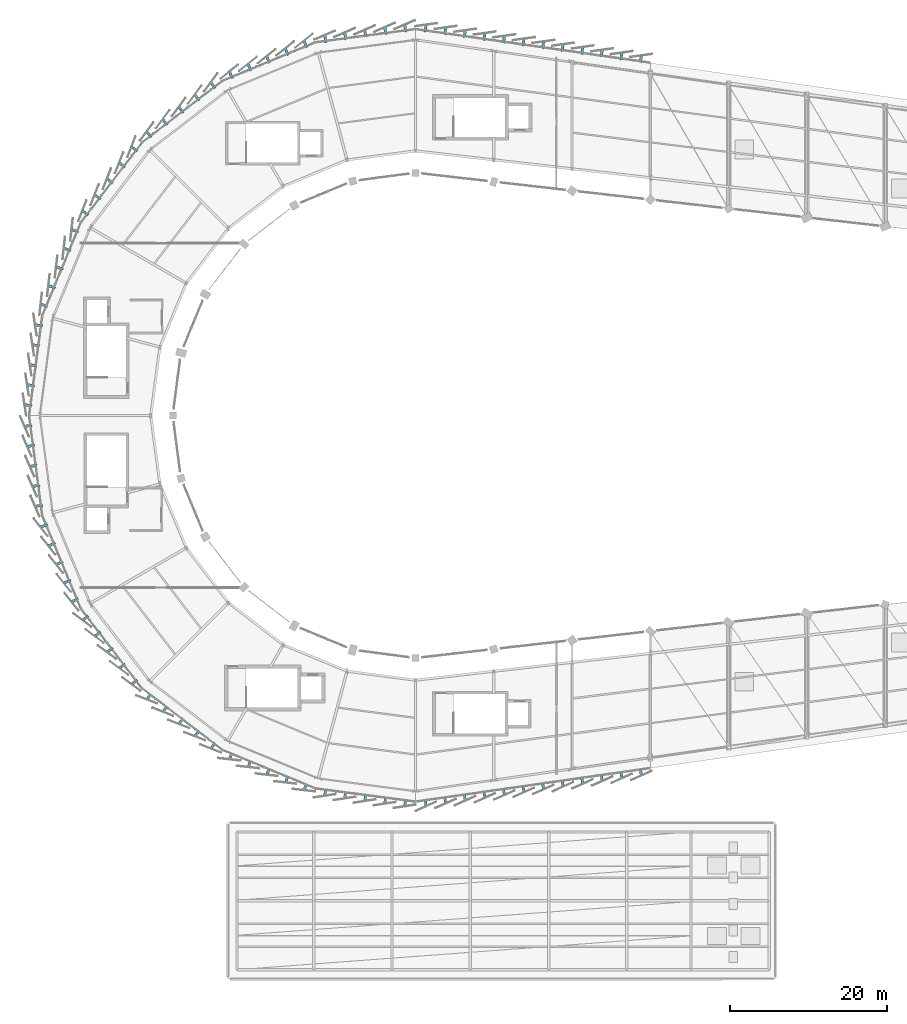
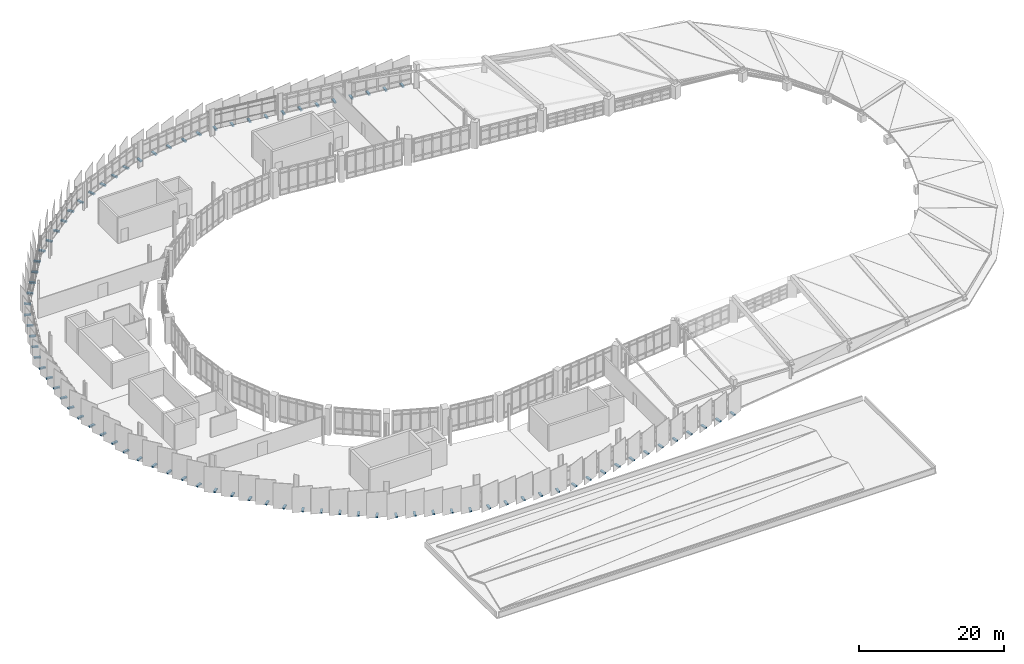
# One storey, part 64 of 67: 84 discrete accessories.
"""IFC4 building model written with IfcOpenShell, lengths in metres."""

import ifcopenshell
import ifcopenshell.guid

model = None  # the IFC model being written
_history = None  # IfcOwnerHistory: only IFC2X3 demands one
_inside = {}  # id of a spatial element -> (the spatial element, [elements in it])
_under = {}  # id of a project, library or spatial element -> (it, [spatial elements below it])
_declared = {}  # id of a project -> (the project, [libraries it declares])
_typed = {}  # id of a type object -> (the type object, [elements of that type])
_made_of = {}  # id of a material, layer set ... -> (it, [elements and type objects made of it])


def new_model(schema):
    """Start an empty IFC model of exactly this schema.

    Asked for "IFC4X3", IfcOpenShell would pick the latest addendum, in which some entities
    have other attributes; the version numbers below select the first issue.
    IFC2X3 requires an IfcOwnerHistory on every rooted entity: one is made here for all.
    """
    global model, _history
    if schema == "IFC4X3":
        model = ifcopenshell.file(schema_version=(4, 3, 0, 0))
    else:
        model = ifcopenshell.file(schema=schema)
    _inside.clear()
    _under.clear()
    _declared.clear()
    _typed.clear()
    _made_of.clear()
    _history = None
    if model.schema == "IFC2X3":
        org = make("IfcOrganization", Name="unknown")
        user = make(
            "IfcPersonAndOrganization",
            ThePerson=make("IfcPerson", FamilyName="unknown"),
            TheOrganization=org,
        )
        app = make(
            "IfcApplication",
            ApplicationDeveloper=org,
            Version="unknown",
            ApplicationFullName="unknown",
            ApplicationIdentifier="unknown",
        )
        _history = make(
            "IfcOwnerHistory",
            OwningUser=user,
            OwningApplication=app,
            ChangeAction="ADDED",
            CreationDate=0,
        )
    return model


def make(cls, **values):
    """One entity of the class cls with the attributes given. An attribute that is None is left unset."""
    return model.create_entity(
        cls, **{name: value for name, value in values.items() if value is not None}
    )


def rooted(cls, **values):
    """An entity with a GlobalId (a new one), such as an element, a storey or a relation."""
    return make(cls, GlobalId=ifcopenshell.guid.new(), OwnerHistory=_history, **values)


def si_unit(unit_type, name, prefix=None):
    """IfcSIUnit, for example si_unit("LENGTHUNIT", "METRE", prefix="MILLI")."""
    return make("IfcSIUnit", UnitType=unit_type, Prefix=prefix, Name=name)


def assignment(units):
    """IfcUnitAssignment: the units of a project."""
    return None if units is None else make("IfcUnitAssignment", Units=units)


def point(xyz):
    """IfcCartesianPoint."""
    return None if xyz is None else make("IfcCartesianPoint", Coordinates=xyz)


def direction(xyz):
    """IfcDirection."""
    return None if xyz is None else make("IfcDirection", DirectionRatios=xyz)


def frame(location, z_axis=None, x_axis=None):
    """IfcAxis2Placement3D, a coordinate frame: its origin and axes. An axis left out is left unset."""
    return make(
        "IfcAxis2Placement3D",
        Location=point(location),
        Axis=direction(z_axis),
        RefDirection=direction(x_axis),
    )


def frame_2d(location, x_axis=None):
    """IfcAxis2Placement2D, a coordinate frame in the plane: its origin and x axis."""
    return make(
        "IfcAxis2Placement2D", Location=point(location), RefDirection=direction(x_axis)
    )


def origin():
    """The frame at (0, 0, 0) with its axes left unset."""
    return frame((0.0, 0.0, 0.0))


def origin_2d():
    """The frame at (0, 0) in the plane with its x axis left unset."""
    return frame_2d((0.0, 0.0))


def place(relative_to, where):
    """IfcLocalPlacement: puts the frame where relative to a parent placement (None: the world)."""
    return make(
        "IfcLocalPlacement", PlacementRelTo=relative_to, RelativePlacement=where
    )


def context(
    kind, dimensions, precision=None, world=None, true_north=None, identifier=None
):
    """IfcGeometricRepresentationContext, for example the 3D "Model" context."""
    return make(
        "IfcGeometricRepresentationContext",
        ContextIdentifier=identifier,
        ContextType=kind,
        CoordinateSpaceDimension=dimensions,
        Precision=precision,
        WorldCoordinateSystem=world,
        TrueNorth=true_north,
    )


def subcontext(parent, identifier, kind, view, scale=None):
    """IfcGeometricRepresentationSubContext, for example "Body" below "Model"."""
    return make(
        "IfcGeometricRepresentationSubContext",
        ContextIdentifier=identifier,
        ContextType=kind,
        ParentContext=parent,
        TargetScale=scale,
        TargetView=view,
    )


def project(units=None, contexts=None):
    """IfcProject with its units and contexts."""
    return rooted(
        "IfcProject",
        Name="project",
        RepresentationContexts=contexts,
        UnitsInContext=assignment(units),
    )


def spatial(cls, under=None, at=None, **own):
    """A site, building, storey or space (cls), placed at a placement, below another one or the project."""
    s = rooted(cls, ObjectPlacement=at, **own)
    if under is not None:
        _under.setdefault(under.id(), (under, []))[1].append(s)
    return s


def profile(cls, at=None, kind="AREA", **sizes):
    """A parametric profile (cls). Its sizes go by their IFC names, for example OverallWidth=200.0."""
    return make(cls, ProfileType=kind, Position=at, **sizes)


def rectangle(**sizes):
    """IfcRectangleProfileDef."""
    return profile("IfcRectangleProfileDef", **sizes)


def extrude(swept, where, along, depth):
    """IfcExtrudedAreaSolid: the profile swept, set in the frame where, extruded along a direction by depth."""
    return make(
        "IfcExtrudedAreaSolid",
        SweptArea=swept,
        Position=where,
        ExtrudedDirection=direction(along),
        Depth=depth,
    )


def shape(context_of_items, identifier, shape_type, items):
    """IfcShapeRepresentation: the items that make up one representation, for example the "Body"."""
    return make(
        "IfcShapeRepresentation",
        ContextOfItems=context_of_items,
        RepresentationIdentifier=identifier,
        RepresentationType=shape_type,
        Items=items,
    )


def material(Name=None, Category=None):
    """IfcMaterial."""
    return make("IfcMaterial", Name=Name, Category=Category)


def made_of(thing, what):
    """Note that an element or type object is made of a material, layer set ...; save() writes the relation."""
    if what is not None:
        _made_of.setdefault(what.id(), (what, []))[1].append(thing)
    return thing


def type_object(cls, material=None, **own):
    """A type object (cls), such as IfcWallType, which elements share."""
    return made_of(rooted(cls, **own), material)


def element(
    cls,
    number,
    at=None,
    inside=None,
    cuts=None,
    type_object=None,
    material=None,
    context=None,
    identifier="Body",
    shape_type=None,
    held_by="IfcProductDefinitionShape",
    body=None,
    shapes=None,
    **own,
):
    """One element of the class cls, such as IfcWall. Its Tag is "e" and its number.

    at: its placement. inside: the storey or other place that contains it. cuts: it is an
    opening in that element (IfcRelVoidsElement). A single representation is given by context,
    identifier, shape_type and body (its items); several are given by shapes. held_by: the class
    of the entity that holds the representations. save() writes the other relations.
    """
    e = rooted(cls, Tag="e%d" % number, ObjectPlacement=at, **own)
    if body is not None:
        shapes = [shape(context, identifier, shape_type, body)]
    if shapes is not None:
        e.Representation = make(held_by, Representations=shapes)
    if inside is not None:
        _inside.setdefault(inside.id(), (inside, []))[1].append(e)
    if cuts is not None:
        rooted(
            "IfcRelVoidsElement", RelatingBuildingElement=cuts, RelatedOpeningElement=e
        )
    if type_object is not None:
        _typed.setdefault(type_object.id(), (type_object, []))[1].append(e)
    return made_of(e, material)


def aggregate(whole, parts):
    """IfcRelAggregates: a whole, such as a stair, and the parts it consists of."""
    return rooted("IfcRelAggregates", RelatingObject=whole, RelatedObjects=parts)


def save(model, path):
    """Write the relations noted so far, then the file.

    IfcRelAggregates (storeys below a building ...), IfcRelContainedInSpatialStructure (elements
    in a storey), IfcRelDefinesByType, IfcRelAssociatesMaterial and IfcRelDeclares: one each for
    every whole, place, type object, material and project.
    """
    for whole, parts in _under.values():
        aggregate(whole, parts)
    for where, things in _inside.values():
        rooted(
            "IfcRelContainedInSpatialStructure",
            RelatedElements=things,
            RelatingStructure=where,
        )
    for kind, things in _typed.values():
        rooted("IfcRelDefinesByType", RelatedObjects=things, RelatingType=kind)
    for what, things in _made_of.values():
        rooted("IfcRelAssociatesMaterial", RelatedObjects=things, RelatingMaterial=what)
    for by, libraries in _declared.values():
        rooted("IfcRelDeclares", RelatingContext=by, RelatedDefinitions=libraries)
    model.write(path)


model = new_model("IFC4")

# Units and contexts
model_context = context("Model", 3, precision=1e-05, world=origin(), true_north=direction((0.0, 1.0)))
body_context = subcontext(model_context, "Body", "Model", "MODEL_VIEW")
ifc_project = project(units=[si_unit("LENGTHUNIT", "METRE"), si_unit("AREAUNIT", "SQUARE_METRE"), si_unit("VOLUMEUNIT", "CUBIC_METRE"), si_unit("PLANEANGLEUNIT", "RADIAN"), si_unit("MASSUNIT", "GRAM", prefix="KILO")], contexts=[model_context])

# Site, building, storey
site_placement = place(None, origin())
site = spatial("IfcSite", under=ifc_project, at=site_placement, CompositionType="ELEMENT")
building_placement = place(site_placement, origin())
building = spatial("IfcBuilding", under=site, at=building_placement, Name="Sohan Crest Arena", CompositionType="ELEMENT")
storey_placement = place(building_placement, frame((0.0, 0.0, 22.5)))
storey = spatial("IfcBuildingStorey", under=building, at=storey_placement, Name="L05", CompositionType="ELEMENT", Elevation=22.5)

# Discrete accessories
ifc_material = material(Name="Steel S355", Category="steel")
discrete_accessory_type = type_object("IfcDiscreteAccessoryType", Name="ARC-ACC-BRK1", PredefinedType="BRACKET", material=ifc_material)
for number, where, z_axis, x_axis, name in (
    (1, (96.680908203125, 127.4990234375, -0.22998046875), (0.0, 0.0, 1.0), (-0.991444861374, -0.13052619222, 0.0), "Ceramic scale carrier bracket BRK-0555"),
    (2, (94.1259765625, 127.1630859375, -0.22998046875), (0.0, 0.0, 1.0), (-0.991444861374, -0.13052619222, 0.0), "Ceramic scale carrier bracket BRK-0556"),
    (3, (91.572021484375, 126.825927734375, -0.22998046875), (0.0, 0.0, 1.0), (-0.991444861374, -0.13052619222, 0.0), "Ceramic scale carrier bracket BRK-0557"),
    (4, (89.01708984375, 126.489990234375, -0.22998046875), (0.0, 0.0, 1.0), (-0.991444861374, -0.13052619222, 0.0), "Ceramic scale carrier bracket BRK-0558"),
    (5, (86.462890625, 126.153076171875, -0.22998046875), (0.0, 0.0, 1.0), (-0.991444861374, -0.13052619222, 0.0), "Ceramic scale carrier bracket BRK-0559"),
    (6, (83.9140625, 125.470947265625, -0.22998046875), (0.0, 0.0, 1.0), (-0.923879532511, -0.382683432365, 0.0), "Ceramic scale carrier bracket BRK-0560"),
    (7, (81.533935546875, 124.485107421875, -0.22998046875), (0.0, 0.0, 1.0), (-0.923879532511, -0.382683432365, 0.0), "Ceramic scale carrier bracket BRK-0561"),
    (8, (79.154052734375, 123.4990234375, -0.22998046875), (0.0, 0.0, 1.0), (-0.923879532511, -0.382683432365, 0.0), "Ceramic scale carrier bracket BRK-0562"),
    (9, (76.77294921875, 122.512939453125, -0.22998046875), (0.0, 0.0, 1.0), (-0.923879532511, -0.382683432365, 0.0), "Ceramic scale carrier bracket BRK-0563"),
    (10, (74.39306640625, 121.527099609375, -0.22998046875), (0.0, 0.0, 1.0), (-0.923879532511, -0.382683432365, 0.0), "Ceramic scale carrier bracket BRK-0564"),
    (11, (72.10791015625, 120.2080078125, -0.22998046875), (0.0, 0.0, 1.0), (-0.793353340291, -0.608761429009, 0.0), "Ceramic scale carrier bracket BRK-0565"),
    (12, (70.06396484375, 118.638916015625, -0.22998046875), (0.0, 0.0, 1.0), (-0.793353340291, -0.608761429009, 0.0), "Ceramic scale carrier bracket BRK-0566"),
    (13, (68.02001953125, 117.071044921875, -0.22998046875), (0.0, 0.0, 1.0), (-0.793353340291, -0.608761429009, 0.0), "Ceramic scale carrier bracket BRK-0567"),
    (14, (65.97607421875, 115.501953125, -0.22998046875), (0.0, 0.0, 1.0), (-0.793353340291, -0.608761429009, 0.0), "Ceramic scale carrier bracket BRK-0568"),
    (15, (63.930908203125, 113.93408203125, -0.22998046875), (0.0, 0.0, 1.0), (-0.793353340291, -0.608761429009, 0.0), "Ceramic scale carrier bracket BRK-0569"),
    (16, (62.06591796875, 112.069091796875, -0.22998046875), (0.0, 0.0, 1.0), (-0.608761429009, -0.793353340291, 0.0), "Ceramic scale carrier bracket BRK-0570"),
    (17, (60.498046875, 110.02392578125, -0.22998046875), (0.0, 0.0, 1.0), (-0.608761429009, -0.793353340291, 0.0), "Ceramic scale carrier bracket BRK-0571"),
    (18, (58.928955078125, 107.97998046875, -0.22998046875), (0.0, 0.0, 1.0), (-0.608761429009, -0.793353340291, 0.0), "Ceramic scale carrier bracket BRK-0572"),
    (19, (57.361083984375, 105.93603515625, -0.22998046875), (0.0, 0.0, 1.0), (-0.608761429009, -0.793353340291, 0.0), "Ceramic scale carrier bracket BRK-0573"),
    (20, (55.7919921875, 103.89208984375, -0.22998046875), (0.0, 0.0, 1.0), (-0.608761429009, -0.793353340291, 0.0), "Ceramic scale carrier bracket BRK-0574"),
    (21, (54.472900390625, 101.60693359375, -0.22998046875), (0.0, 0.0, 1.0), (-0.382683432365, -0.923879532511, 0.0), "Ceramic scale carrier bracket BRK-0575"),
    (22, (53.487060546875, 99.22705078125, -0.22998046875), (0.0, 0.0, 1.0), (-0.382683432365, -0.923879532511, 0.0), "Ceramic scale carrier bracket BRK-0576"),
    (23, (52.5009765625, 96.845947265625, -0.22998046875), (0.0, 0.0, 1.0), (-0.382683432365, -0.923879532511, 0.0), "Ceramic scale carrier bracket BRK-0577"),
    (24, (51.514892578125, 94.466064453125, -0.22998046875), (0.0, 0.0, 1.0), (-0.382683432365, -0.923879532511, 0.0), "Ceramic scale carrier bracket BRK-0578"),
    (25, (50.529052734375, 92.0859375, -0.22998046875), (0.0, 0.0, 1.0), (-0.382683432365, -0.923879532511, 0.0), "Ceramic scale carrier bracket BRK-0579"),
    (26, (49.846923828125, 89.537109375, -0.22998046875), (0.0, 0.0, 1.0), (-0.13052619222, -0.991444861374, 0.0), "Ceramic scale carrier bracket BRK-0580"),
    (27, (49.510009765625, 86.98291015625, -0.22998046875), (0.0, 0.0, 1.0), (-0.13052619222, -0.991444861374, 0.0), "Ceramic scale carrier bracket BRK-0581"),
    (28, (49.174072265625, 84.427978515625, -0.22998046875), (0.0, 0.0, 1.0), (-0.13052619222, -0.991444861374, 0.0), "Ceramic scale carrier bracket BRK-0582"),
    (29, (48.8369140625, 81.8740234375, -0.22998046875), (0.0, 0.0, 1.0), (-0.13052619222, -0.991444861374, 0.0), "Ceramic scale carrier bracket BRK-0583"),
    (30, (48.5009765625, 79.319091796875, -0.22998046875), (0.0, 0.0, 1.0), (-0.13052619222, -0.991444861374, 0.0), "Ceramic scale carrier bracket BRK-0584"),
    (31, (48.5009765625, 76.680908203125, -0.22998046875), (0.0, 0.0, 1.0), (0.13052619222, -0.991444861374, 0.0), "Ceramic scale carrier bracket BRK-0585"),
    (32, (48.8369140625, 74.1259765625, -0.22998046875), (0.0, 0.0, 1.0), (0.13052619222, -0.991444861374, 0.0), "Ceramic scale carrier bracket BRK-0586"),
    (33, (49.174072265625, 71.572021484375, -0.22998046875), (0.0, 0.0, 1.0), (0.13052619222, -0.991444861374, 0.0), "Ceramic scale carrier bracket BRK-0587"),
    (34, (49.510009765625, 69.01708984375, -0.22998046875), (0.0, 0.0, 1.0), (0.13052619222, -0.991444861374, 0.0), "Ceramic scale carrier bracket BRK-0588"),
    (35, (49.846923828125, 66.462890625, -0.22998046875), (0.0, 0.0, 1.0), (0.13052619222, -0.991444861374, 0.0), "Ceramic scale carrier bracket BRK-0589"),
    (36, (50.529052734375, 63.9140625, -0.22998046875), (0.0, 0.0, 1.0), (0.382683432365, -0.923879532511, 0.0), "Ceramic scale carrier bracket BRK-0590"),
    (37, (51.514892578125, 61.533935546875, -0.22998046875), (0.0, 0.0, 1.0), (0.382683432365, -0.923879532511, 0.0), "Ceramic scale carrier bracket BRK-0591"),
    (38, (52.5009765625, 59.154052734375, -0.22998046875), (0.0, 0.0, 1.0), (0.382683432365, -0.923879532511, 0.0), "Ceramic scale carrier bracket BRK-0592"),
    (39, (53.487060546875, 56.77294921875, -0.22998046875), (0.0, 0.0, 1.0), (0.382683432365, -0.923879532511, 0.0), "Ceramic scale carrier bracket BRK-0593"),
    (40, (54.472900390625, 54.39306640625, -0.22998046875), (0.0, 0.0, 1.0), (0.382683432365, -0.923879532511, 0.0), "Ceramic scale carrier bracket BRK-0594"),
    (41, (55.7919921875, 52.10791015625, -0.22998046875), (0.0, 0.0, 1.0), (0.608761429009, -0.793353340291, 0.0), "Ceramic scale carrier bracket BRK-0595"),
    (42, (57.361083984375, 50.06396484375, -0.22998046875), (0.0, 0.0, 1.0), (0.608761429009, -0.793353340291, 0.0), "Ceramic scale carrier bracket BRK-0596"),
    (43, (58.928955078125, 48.02001953125, -0.22998046875), (0.0, 0.0, 1.0), (0.608761429009, -0.793353340291, 0.0), "Ceramic scale carrier bracket BRK-0597"),
    (44, (60.498046875, 45.97607421875, -0.22998046875), (0.0, 0.0, 1.0), (0.608761429009, -0.793353340291, 0.0), "Ceramic scale carrier bracket BRK-0598"),
    (45, (62.06591796875, 43.930908203125, -0.22998046875), (0.0, 0.0, 1.0), (0.608761429009, -0.793353340291, 0.0), "Ceramic scale carrier bracket BRK-0599"),
    (46, (63.930908203125, 42.06591796875, -0.22998046875), (0.0, 0.0, 1.0), (0.793353340291, -0.608761429009, 0.0), "Ceramic scale carrier bracket BRK-0600"),
    (47, (65.97607421875, 40.498046875, -0.22998046875), (0.0, 0.0, 1.0), (0.793353340291, -0.608761429009, 0.0), "Ceramic scale carrier bracket BRK-0601"),
    (48, (68.02001953125, 38.928955078125, -0.22998046875), (0.0, 0.0, 1.0), (0.793353340291, -0.608761429009, 0.0), "Ceramic scale carrier bracket BRK-0602"),
    (49, (70.06396484375, 37.361083984375, -0.22998046875), (0.0, 0.0, 1.0), (0.793353340291, -0.608761429009, 0.0), "Ceramic scale carrier bracket BRK-0603"),
    (50, (72.10791015625, 35.7919921875, -0.22998046875), (0.0, 0.0, 1.0), (0.793353340291, -0.608761429009, 0.0), "Ceramic scale carrier bracket BRK-0604"),
    (51, (74.39306640625, 34.472900390625, -0.22998046875), (0.0, 0.0, 1.0), (0.923879532511, -0.382683432365, 0.0), "Ceramic scale carrier bracket BRK-0605"),
    (52, (76.77294921875, 33.487060546875, -0.22998046875), (0.0, 0.0, 1.0), (0.923879532511, -0.382683432365, 0.0), "Ceramic scale carrier bracket BRK-0606"),
    (53, (79.154052734375, 32.5009765625, -0.22998046875), (0.0, 0.0, 1.0), (0.923879532511, -0.382683432365, 0.0), "Ceramic scale carrier bracket BRK-0607"),
    (54, (81.533935546875, 31.514892578125, -0.22998046875), (0.0, 0.0, 1.0), (0.923879532511, -0.382683432365, 0.0), "Ceramic scale carrier bracket BRK-0608"),
    (55, (83.9140625, 30.529052734375, -0.22998046875), (0.0, 0.0, 1.0), (0.923879532511, -0.382683432365, 0.0), "Ceramic scale carrier bracket BRK-0609"),
    (56, (86.462890625, 29.846923828125, -0.22998046875), (0.0, 0.0, 1.0), (0.991444861374, -0.13052619222, 0.0), "Ceramic scale carrier bracket BRK-0610"),
    (57, (89.01708984375, 29.510009765625, -0.22998046875), (0.0, 0.0, 1.0), (0.991444861374, -0.13052619222, 0.0), "Ceramic scale carrier bracket BRK-0611"),
    (58, (91.572021484375, 29.174072265625, -0.22998046875), (0.0, 0.0, 1.0), (0.991444861374, -0.13052619222, 0.0), "Ceramic scale carrier bracket BRK-0612"),
    (59, (94.1259765625, 28.8369140625, -0.22998046875), (0.0, 0.0, 1.0), (0.991444861374, -0.13052619222, 0.0), "Ceramic scale carrier bracket BRK-0613"),
    (60, (96.680908203125, 28.5009765625, -0.22998046875), (0.0, 0.0, 1.0), (0.991444861374, -0.13052619222, 0.0), "Ceramic scale carrier bracket BRK-0614"),
    (61, (99.294921875, 28.511962890625, -0.22998046875), (0.0, 0.0, 1.0), (0.990023657717, 0.140901231938, 0.0), "Ceramic scale carrier bracket BRK-0615"),
    (62, (101.794921875, 28.868896484375, -0.22998046875), (0.0, 0.0, 1.0), (0.990023657717, 0.140901231938, 0.0), "Ceramic scale carrier bracket BRK-0616"),
    (63, (104.294921875, 29.22607421875, -0.22998046875), (0.0, 0.0, 1.0), (0.990023657717, 0.140901231938, 0.0), "Ceramic scale carrier bracket BRK-0617"),
    (64, (106.794921875, 29.583984375, -0.22998046875), (0.0, 0.0, 1.0), (0.990023657717, 0.140901231938, 0.0), "Ceramic scale carrier bracket BRK-0618"),
    (65, (109.294921875, 29.94091796875, -0.22998046875), (0.0, 0.0, 1.0), (0.990023657717, 0.140901231938, 0.0), "Ceramic scale carrier bracket BRK-0619"),
    (66, (111.794921875, 30.298095703125, -0.22998046875), (0.0, 0.0, 1.0), (0.990023657717, 0.140901231938, 0.0), "Ceramic scale carrier bracket BRK-0620"),
    (67, (114.294921875, 30.655029296875, -0.22998046875), (0.0, 0.0, 1.0), (0.990023657717, 0.140901231938, 0.0), "Ceramic scale carrier bracket BRK-0621"),
    (68, (116.794921875, 31.011962890625, -0.22998046875), (0.0, 0.0, 1.0), (0.990023657717, 0.140901231938, 0.0), "Ceramic scale carrier bracket BRK-0622"),
    (69, (119.294921875, 31.368896484375, -0.22998046875), (0.0, 0.0, 1.0), (0.990023657717, 0.140901231938, 0.0), "Ceramic scale carrier bracket BRK-0623"),
    (70, (121.794921875, 31.72607421875, -0.22998046875), (0.0, 0.0, 1.0), (0.990023657717, 0.140901231938, 0.0), "Ceramic scale carrier bracket BRK-0624"),
    (71, (124.294921875, 32.0830078125, -0.22998046875), (0.0, 0.0, 1.0), (0.990023657717, 0.140901231938, 0.0), "Ceramic scale carrier bracket BRK-0625"),
    (72, (126.794921875, 32.44091796875, -0.22998046875), (0.0, 0.0, 1.0), (0.990023657717, 0.140901231938, 0.0), "Ceramic scale carrier bracket BRK-0626"),
    (73, (126.794921875, 123.55908203125, -0.22998046875), (0.0, 0.0, 1.0), (-0.990023657717, 0.140901231938, 0.0), "Ceramic scale carrier bracket BRK-0627"),
    (74, (124.294921875, 123.9169921875, -0.22998046875), (0.0, 0.0, 1.0), (-0.990023657717, 0.140901231938, 0.0), "Ceramic scale carrier bracket BRK-0628"),
    (75, (121.794921875, 124.27392578125, -0.22998046875), (0.0, 0.0, 1.0), (-0.990023657717, 0.140901231938, 0.0), "Ceramic scale carrier bracket BRK-0629"),
    (76, (119.294921875, 124.631103515625, -0.22998046875), (0.0, 0.0, 1.0), (-0.990023657717, 0.140901231938, 0.0), "Ceramic scale carrier bracket BRK-0630"),
    (77, (116.794921875, 124.988037109375, -0.22998046875), (0.0, 0.0, 1.0), (-0.990023657717, 0.140901231938, 0.0), "Ceramic scale carrier bracket BRK-0631"),
    (78, (114.294921875, 125.344970703125, -0.22998046875), (0.0, 0.0, 1.0), (-0.990023657717, 0.140901231938, 0.0), "Ceramic scale carrier bracket BRK-0632"),
    (79, (111.794921875, 125.701904296875, -0.22998046875), (0.0, 0.0, 1.0), (-0.990023657717, 0.140901231938, 0.0), "Ceramic scale carrier bracket BRK-0633"),
    (80, (109.294921875, 126.05908203125, -0.22998046875), (0.0, 0.0, 1.0), (-0.990023657717, 0.140901231938, 0.0), "Ceramic scale carrier bracket BRK-0634"),
    (81, (106.794921875, 126.416015625, -0.22998046875), (0.0, 0.0, 1.0), (-0.990023657717, 0.140901231938, 0.0), "Ceramic scale carrier bracket BRK-0635"),
    (82, (104.294921875, 126.77392578125, -0.22998046875), (0.0, 0.0, 1.0), (-0.990023657717, 0.140901231938, 0.0), "Ceramic scale carrier bracket BRK-0636"),
    (83, (101.794921875, 127.131103515625, -0.22998046875), (0.0, 0.0, 1.0), (-0.990023657717, 0.140901231938, 0.0), "Ceramic scale carrier bracket BRK-0637"),
    (84, (99.294921875, 127.488037109375, -0.22998046875), (0.0, 0.0, 1.0), (-0.990023657717, 0.140901231938, 0.0), "Ceramic scale carrier bracket BRK-0638"),
):
    element("IfcDiscreteAccessory", number, at=place(storey_placement, frame(where, z_axis=z_axis, x_axis=x_axis)), inside=storey, type_object=discrete_accessory_type, Name=name, PredefinedType="BRACKET", context=body_context, shape_type="SweptSolid", body=[
        extrude(rectangle(XDim=0.35009765625, YDim=0.9599609375, at=origin_2d()), origin(), (0.0, 0.0, 1.0), 0.219970703125),
    ])

save(model, "model.ifc")
